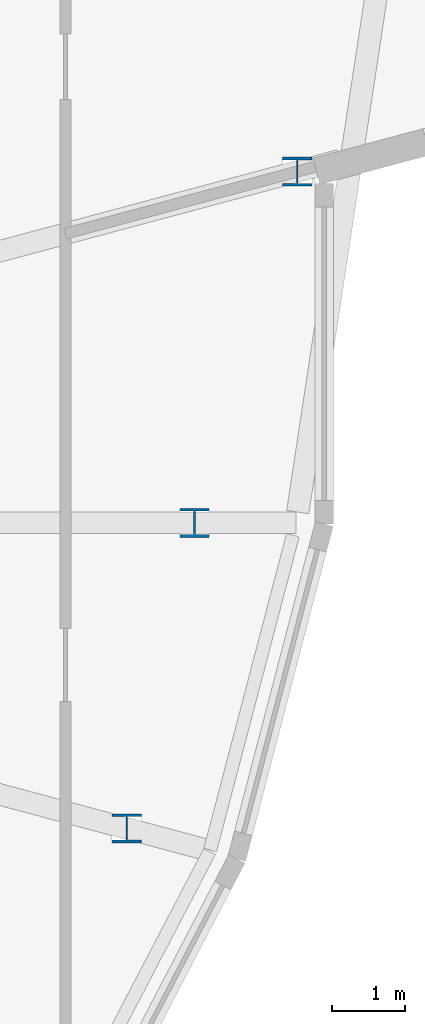
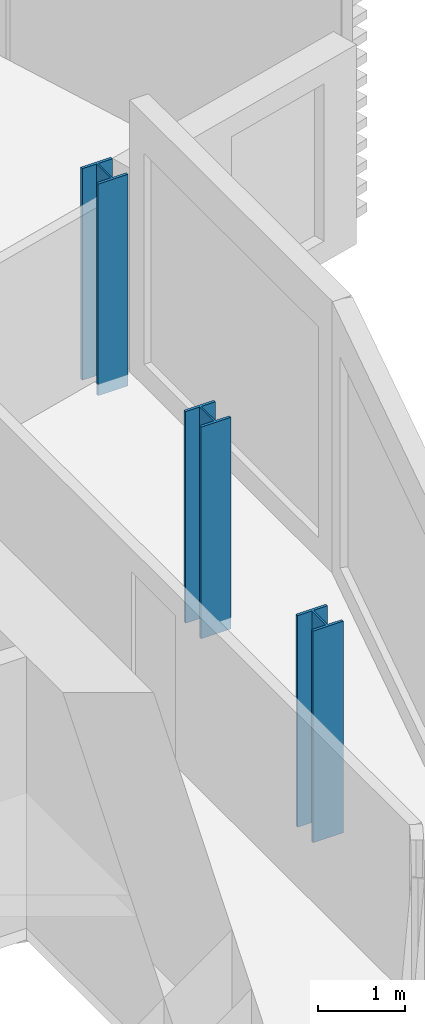
# One storey, part 2 of 40: 3 columns.
"""IFC4 building model written with IfcOpenShell, lengths in metres."""

import ifcopenshell
import ifcopenshell.guid

model = None  # the IFC model being written
_history = None  # IfcOwnerHistory: only IFC2X3 demands one
_inside = {}  # id of a spatial element -> (the spatial element, [elements in it])
_under = {}  # id of a project, library or spatial element -> (it, [spatial elements below it])
_declared = {}  # id of a project -> (the project, [libraries it declares])
_typed = {}  # id of a type object -> (the type object, [elements of that type])
_made_of = {}  # id of a material, layer set ... -> (it, [elements and type objects made of it])


def new_model(schema):
    """Start an empty IFC model of exactly this schema.

    Asked for "IFC4X3", IfcOpenShell would pick the latest addendum, in which some entities
    have other attributes; the version numbers below select the first issue.
    IFC2X3 requires an IfcOwnerHistory on every rooted entity: one is made here for all.
    """
    global model, _history
    if schema == "IFC4X3":
        model = ifcopenshell.file(schema_version=(4, 3, 0, 0))
    else:
        model = ifcopenshell.file(schema=schema)
    _inside.clear()
    _under.clear()
    _declared.clear()
    _typed.clear()
    _made_of.clear()
    _history = None
    if model.schema == "IFC2X3":
        org = make("IfcOrganization", Name="unknown")
        user = make(
            "IfcPersonAndOrganization",
            ThePerson=make("IfcPerson", FamilyName="unknown"),
            TheOrganization=org,
        )
        app = make(
            "IfcApplication",
            ApplicationDeveloper=org,
            Version="unknown",
            ApplicationFullName="unknown",
            ApplicationIdentifier="unknown",
        )
        _history = make(
            "IfcOwnerHistory",
            OwningUser=user,
            OwningApplication=app,
            ChangeAction="ADDED",
            CreationDate=0,
        )
    return model


def make(cls, **values):
    """One entity of the class cls with the attributes given. An attribute that is None is left unset."""
    return model.create_entity(
        cls, **{name: value for name, value in values.items() if value is not None}
    )


def rooted(cls, **values):
    """An entity with a GlobalId (a new one), such as an element, a storey or a relation."""
    return make(cls, GlobalId=ifcopenshell.guid.new(), OwnerHistory=_history, **values)


def si_unit(unit_type, name, prefix=None):
    """IfcSIUnit, for example si_unit("LENGTHUNIT", "METRE", prefix="MILLI")."""
    return make("IfcSIUnit", UnitType=unit_type, Prefix=prefix, Name=name)


def assignment(units):
    """IfcUnitAssignment: the units of a project."""
    return None if units is None else make("IfcUnitAssignment", Units=units)


def point(xyz):
    """IfcCartesianPoint."""
    return None if xyz is None else make("IfcCartesianPoint", Coordinates=xyz)


def direction(xyz):
    """IfcDirection."""
    return None if xyz is None else make("IfcDirection", DirectionRatios=xyz)


def frame(location, z_axis=None, x_axis=None):
    """IfcAxis2Placement3D, a coordinate frame: its origin and axes. An axis left out is left unset."""
    return make(
        "IfcAxis2Placement3D",
        Location=point(location),
        Axis=direction(z_axis),
        RefDirection=direction(x_axis),
    )


def frame_2d(location, x_axis=None):
    """IfcAxis2Placement2D, a coordinate frame in the plane: its origin and x axis."""
    return make(
        "IfcAxis2Placement2D", Location=point(location), RefDirection=direction(x_axis)
    )


def origin():
    """The frame at (0, 0, 0) with its axes left unset."""
    return frame((0.0, 0.0, 0.0))


def origin_2d():
    """The frame at (0, 0) in the plane with its x axis left unset."""
    return frame_2d((0.0, 0.0))


def place(relative_to, where):
    """IfcLocalPlacement: puts the frame where relative to a parent placement (None: the world)."""
    return make(
        "IfcLocalPlacement", PlacementRelTo=relative_to, RelativePlacement=where
    )


def context(
    kind, dimensions, precision=None, world=None, true_north=None, identifier=None
):
    """IfcGeometricRepresentationContext, for example the 3D "Model" context."""
    return make(
        "IfcGeometricRepresentationContext",
        ContextIdentifier=identifier,
        ContextType=kind,
        CoordinateSpaceDimension=dimensions,
        Precision=precision,
        WorldCoordinateSystem=world,
        TrueNorth=true_north,
    )


def subcontext(parent, identifier, kind, view, scale=None):
    """IfcGeometricRepresentationSubContext, for example "Body" below "Model"."""
    return make(
        "IfcGeometricRepresentationSubContext",
        ContextIdentifier=identifier,
        ContextType=kind,
        ParentContext=parent,
        TargetScale=scale,
        TargetView=view,
    )


def project(units=None, contexts=None):
    """IfcProject with its units and contexts."""
    return rooted(
        "IfcProject",
        Name="project",
        RepresentationContexts=contexts,
        UnitsInContext=assignment(units),
    )


def spatial(cls, under=None, at=None, **own):
    """A site, building, storey or space (cls), placed at a placement, below another one or the project."""
    s = rooted(cls, ObjectPlacement=at, **own)
    if under is not None:
        _under.setdefault(under.id(), (under, []))[1].append(s)
    return s


def profile(cls, at=None, kind="AREA", **sizes):
    """A parametric profile (cls). Its sizes go by their IFC names, for example OverallWidth=200.0."""
    return make(cls, ProfileType=kind, Position=at, **sizes)


def i_section(**sizes):
    """IfcIShapeProfileDef."""
    return profile("IfcIShapeProfileDef", **sizes)


def extrude(swept, where, along, depth):
    """IfcExtrudedAreaSolid: the profile swept, set in the frame where, extruded along a direction by depth."""
    return make(
        "IfcExtrudedAreaSolid",
        SweptArea=swept,
        Position=where,
        ExtrudedDirection=direction(along),
        Depth=depth,
    )


def shape(context_of_items, identifier, shape_type, items):
    """IfcShapeRepresentation: the items that make up one representation, for example the "Body"."""
    return make(
        "IfcShapeRepresentation",
        ContextOfItems=context_of_items,
        RepresentationIdentifier=identifier,
        RepresentationType=shape_type,
        Items=items,
    )


def material(Name=None, Category=None):
    """IfcMaterial."""
    return make("IfcMaterial", Name=Name, Category=Category)


def material_profile(
    of_material, cross_section, Name=None, Category=None, Priority=None
):
    """IfcMaterialProfile: a cross section and its material."""
    return make(
        "IfcMaterialProfile",
        Name=Name,
        Material=of_material,
        Profile=cross_section,
        Priority=Priority,
        Category=Category,
    )


def profile_set(profiles, Name=None, composite=None):
    """IfcMaterialProfileSet."""
    return make(
        "IfcMaterialProfileSet",
        Name=Name,
        MaterialProfiles=profiles,
        CompositeProfile=composite,
    )


def made_of(thing, what):
    """Note that an element or type object is made of a material, layer set ...; save() writes the relation."""
    if what is not None:
        _made_of.setdefault(what.id(), (what, []))[1].append(thing)
    return thing


def type_object(cls, material=None, **own):
    """A type object (cls), such as IfcWallType, which elements share."""
    return made_of(rooted(cls, **own), material)


def element(
    cls,
    number,
    at=None,
    inside=None,
    cuts=None,
    type_object=None,
    material=None,
    context=None,
    identifier="Body",
    shape_type=None,
    held_by="IfcProductDefinitionShape",
    body=None,
    shapes=None,
    **own,
):
    """One element of the class cls, such as IfcWall. Its Tag is "e" and its number.

    at: its placement. inside: the storey or other place that contains it. cuts: it is an
    opening in that element (IfcRelVoidsElement). A single representation is given by context,
    identifier, shape_type and body (its items); several are given by shapes. held_by: the class
    of the entity that holds the representations. save() writes the other relations.
    """
    e = rooted(cls, Tag="e%d" % number, ObjectPlacement=at, **own)
    if body is not None:
        shapes = [shape(context, identifier, shape_type, body)]
    if shapes is not None:
        e.Representation = make(held_by, Representations=shapes)
    if inside is not None:
        _inside.setdefault(inside.id(), (inside, []))[1].append(e)
    if cuts is not None:
        rooted(
            "IfcRelVoidsElement", RelatingBuildingElement=cuts, RelatedOpeningElement=e
        )
    if type_object is not None:
        _typed.setdefault(type_object.id(), (type_object, []))[1].append(e)
    return made_of(e, material)


def aggregate(whole, parts):
    """IfcRelAggregates: a whole, such as a stair, and the parts it consists of."""
    return rooted("IfcRelAggregates", RelatingObject=whole, RelatedObjects=parts)


def save(model, path):
    """Write the relations noted so far, then the file.

    IfcRelAggregates (storeys below a building ...), IfcRelContainedInSpatialStructure (elements
    in a storey), IfcRelDefinesByType, IfcRelAssociatesMaterial and IfcRelDeclares: one each for
    every whole, place, type object, material and project.
    """
    for whole, parts in _under.values():
        aggregate(whole, parts)
    for where, things in _inside.values():
        rooted(
            "IfcRelContainedInSpatialStructure",
            RelatedElements=things,
            RelatingStructure=where,
        )
    for kind, things in _typed.values():
        rooted("IfcRelDefinesByType", RelatedObjects=things, RelatingType=kind)
    for what, things in _made_of.values():
        rooted("IfcRelAssociatesMaterial", RelatedObjects=things, RelatingMaterial=what)
    for by, libraries in _declared.values():
        rooted("IfcRelDeclares", RelatingContext=by, RelatedDefinitions=libraries)
    model.write(path)


model = new_model("IFC4")

# Units and contexts
model_context = context("Model", 3, precision=1e-05, world=origin(), true_north=direction((0.0, 1.0)))
body_context = subcontext(model_context, "Body", "Model", "MODEL_VIEW")
ifc_project = project(units=[si_unit("LENGTHUNIT", "METRE"), si_unit("AREAUNIT", "SQUARE_METRE"), si_unit("VOLUMEUNIT", "CUBIC_METRE"), si_unit("PLANEANGLEUNIT", "RADIAN"), si_unit("MASSUNIT", "GRAM", prefix="KILO")], contexts=[model_context])

# Site, building, storey
site_placement = place(None, origin())
site = spatial("IfcSite", under=ifc_project, at=site_placement, CompositionType="ELEMENT")
building_placement = place(site_placement, origin())
building = spatial("IfcBuilding", under=site, at=building_placement, Name="Rimbun Link Towers", CompositionType="ELEMENT")
storey_placement = place(building_placement, frame((0.0, 0.0, 52.800048828125)))
storey = spatial("IfcBuildingStorey", under=building, at=storey_placement, Name="L12", CompositionType="ELEMENT", Elevation=52.800048828125)

# Columns
ifc_material = material(Name="Steel S355J2", Category="steel")
ifc_material_profile = material_profile(ifc_material, i_section(OverallWidth=0.39892578125, OverallDepth=0.3935546875, WebThickness=0.022705078125, FlangeThickness=0.03662109375, at=origin_2d()), Name="UC 356x406x287")
ifc_profile_set = profile_set([ifc_material_profile], Name="Steel S355J2")
column_type = type_object("IfcColumnType", Name="UC 356x406x287", PredefinedType="COLUMN", material=ifc_profile_set)
for number, where, z_axis, x_axis, name in (
    (1, (47.310302734375, -4.169189453125, -0.16015625), (0.0, 0.0, 1.0), (1.0, 0.0, 0.0), "Crease post T2 L12 20"),
    (2, (48.235107421875, 0.0, -0.16015625), (0.0, 0.0, 1.0), (1.0, 0.0, 0.0), "Crease post T2 L12 21"),
    (3, (49.638427734375, 4.793212890625, -0.16015625), (0.0, 0.0, 1.0), (1.0, 0.0, 0.0), "Crease post T2 L12 22"),
):
    element("IfcColumn", number, at=place(storey_placement, frame(where, z_axis=z_axis, x_axis=x_axis)), inside=storey, type_object=column_type, Name=name, PredefinedType="COLUMN", context=body_context, shape_type="SweptSolid", body=[
        extrude(i_section(OverallWidth=0.39892578125, OverallDepth=0.3935546875, WebThickness=0.022705078125, FlangeThickness=0.03662109375, at=origin_2d()), origin(), (0.0, 0.0, 1.0), 2.95947265625),
    ])

save(model, "model.ifc")
